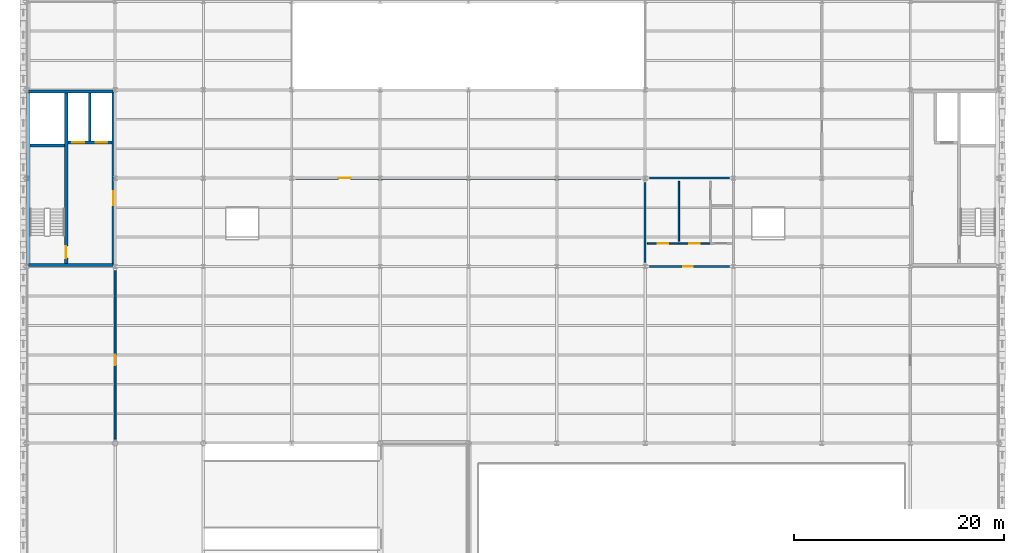
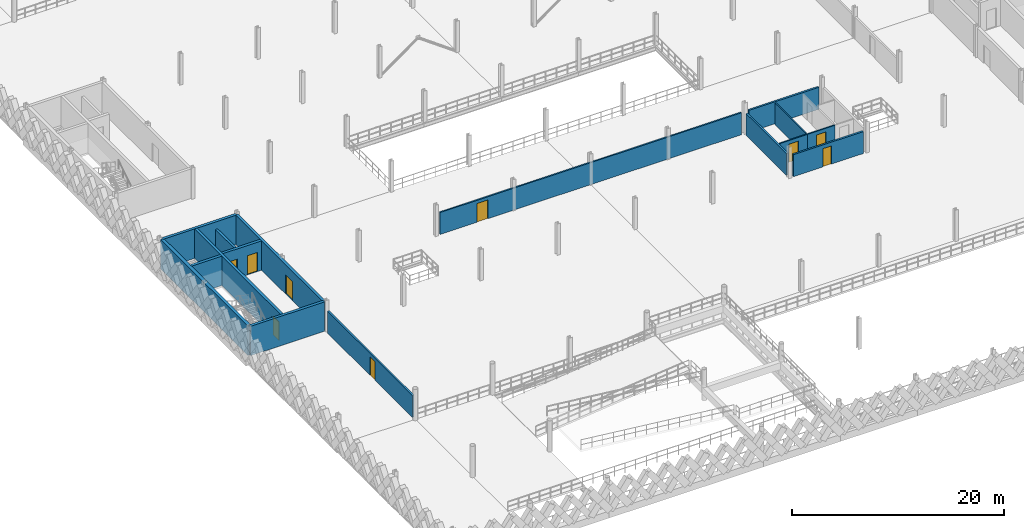
# One storey, part 49 of 62: 16 walls, 9 doors, 9 openings.
"""IFC4 building model written with IfcOpenShell, lengths in metres."""

from ifc_helpers import new_model, si_unit, direction, frame, frame_2d, origin, place, context, subcontext, project, spatial, rectangle, extrude, material, layer, layer_set, type_object, element, fill, save


model = new_model("IFC4")

# Units and contexts
model_context = context("Model", 3, precision=1e-05, world=origin(), true_north=direction((0.0, 1.0)))
body_context = subcontext(model_context, "Body", "Model", "MODEL_VIEW")
ifc_project = project(units=[si_unit("LENGTHUNIT", "METRE"), si_unit("AREAUNIT", "SQUARE_METRE"), si_unit("VOLUMEUNIT", "CUBIC_METRE"), si_unit("PLANEANGLEUNIT", "RADIAN"), si_unit("MASSUNIT", "GRAM", prefix="KILO"), si_unit("THERMODYNAMICTEMPERATUREUNIT", "KELVIN"), si_unit("POWERUNIT", "WATT")], contexts=[model_context])

# Site, building, storey
site_placement = place(None, origin())
site = spatial("IfcSite", under=ifc_project, at=site_placement, CompositionType="ELEMENT")
building_placement = place(site_placement, origin())
building = spatial("IfcBuilding", under=site, at=building_placement, Name="Tembeka Court Mobility Hub", CompositionType="ELEMENT")
storey_placement = place(building_placement, frame((0.0, 0.0, 16.199951171875)))
storey = spatial("IfcBuildingStorey", under=building, at=storey_placement, Name="L04", CompositionType="ELEMENT", Elevation=16.199951171875)

# Wall
ifc_material_1 = material(Name="Concrete C40/50", Category="concrete")
ifc_layer_1 = layer(ifc_material_1, 0.25)
ifc_layer_set_1 = layer_set([ifc_layer_1], Name="Concrete C40/50")
wall_type_1 = type_object("IfcWallType", Name="WL-IW01", PredefinedType="PARTITIONING", material=ifc_layer_set_1)
wall_1_placement = place(storey_placement, frame((6.0, 50.35009765625, 0.0), z_axis=(0.0, 0.0, 1.0), x_axis=(0.0, 1.0, 0.0)))
element("IfcWall", 1, at=wall_1_placement, inside=storey, type_object=wall_type_1, Name="Wall IW01 (IW-L04-0048)", PredefinedType="PARTITIONING", context=body_context, shape_type="SweptSolid", body=[
    extrude(rectangle(XDim=4.5498046875, YDim=0.25, at=frame_2d((2.27490234375, 0.0))), origin(), (0.0, 0.0, 1.0), 2.525146484375),
])

# Wall, opening, door
ifc_material_2 = material(Name="Concrete blockwork masonry", Category="masonry")
ifc_layer_2 = layer(ifc_material_2, 0.199951171875)
ifc_layer_set_2 = layer_set([ifc_layer_2], Name="Concrete blockwork masonry")
wall_type_2 = type_object("IfcWallType", Name="WL-IW02", PredefinedType="PARTITIONING", material=ifc_layer_set_2)
wall_2_placement = place(storey_placement, frame((59.199951171875, 38.39990234375, 0.0), z_axis=(0.0, 0.0, 1.0), x_axis=(1.0, 0.0, 0.0)))
wall_2 = element("IfcWall", 2, at=wall_2_placement, inside=storey, type_object=wall_type_2, Name="Wall IW02 (IW-L04-0386)", PredefinedType="PARTITIONING", context=body_context, shape_type="SweptSolid", body=[
    extrude(rectangle(XDim=7.60009765625, YDim=0.199951171875, at=frame_2d((3.800048828125, 0.0))), origin(), (0.0, 0.0, 1.0), 2.525146484375),
])
opening_1_placement = place(wall_2_placement, frame((3.199951171875, 0.0, 0.0)))
opening_1 = element("IfcOpeningElement", 3, at=opening_1_placement, cuts=wall_2, Name="Opening ID03", PredefinedType="OPENING", context=body_context, shape_type="SweptSolid", body=[
    extrude(rectangle(XDim=0.919921875, YDim=2.10009765625, at=frame_2d((0.4599609375, 1.050048828125))), frame((0.0, 0.10986328125, 0.0), z_axis=(0.0, -1.0, 0.0), x_axis=(1.0, 0.0, 0.0)), (0.0, 0.0, 1.0), 0.219970703125),
])
ifc_material_3 = material(Name="Galvanised steel fire/shutter doorset", Category="steel")
door_type_1 = type_object("IfcDoorType", Name="DR-ID03", OperationType="NOTDEFINED", PredefinedType="DOOR", material=ifc_material_3)
door_1_placement = place(opening_1_placement, origin())
door_1 = element("IfcDoor", 4, at=door_1_placement, inside=storey, type_object=door_type_1, Name="L04 washroom lobby entrance", OperationType="SINGLE_SWING_RIGHT", OverallHeight=2.10009765625, OverallWidth=0.919921875, PredefinedType="DOOR", context=body_context, shape_type="SweptSolid", body=[
    extrude(rectangle(XDim=0.919921875, YDim=2.10009765625, at=frame_2d((0.4599609375, 1.050048828125))), frame((0.0, 0.02490234375, 0.0), z_axis=(0.0, -1.0, 0.0), x_axis=(1.0, 0.0, 0.0)), (0.0, 0.0, 1.0), 0.050048828125),
])
fill(opening_1, door_1)

# Walls
wall_3_placement = place(storey_placement, frame((59.199951171875, 46.800048828125, 0.0), z_axis=(0.0, 0.0, 1.0), x_axis=(1.0, 0.0, 0.0)))
element("IfcWall", 5, at=wall_3_placement, inside=storey, type_object=wall_type_2, Name="Wall IW02 (IW-L04-0387)", PredefinedType="PARTITIONING", context=body_context, shape_type="SweptSolid", body=[
    extrude(rectangle(XDim=7.60009765625, YDim=0.199951171875, at=frame_2d((3.800048828125, 0.0))), origin(), (0.0, 0.0, 1.0), 2.525146484375),
])
wall_4_placement = place(storey_placement, frame((58.800048828125, 38.800048828125, 0.0), z_axis=(0.0, 0.0, 1.0), x_axis=(0.0, 1.0, 0.0)))
element("IfcWall", 6, at=wall_4_placement, inside=storey, type_object=wall_type_2, Name="Wall IW02 (IW-L04-0388)", PredefinedType="PARTITIONING", context=body_context, shape_type="SweptSolid", body=[
    extrude(rectangle(XDim=7.599853515625, YDim=0.199951171875, at=frame_2d((3.7998046875, 0.0))), origin(), (0.0, 0.0, 1.0), 2.525146484375),
])

# Wall, opening, door
ifc_layer_3 = layer(ifc_material_2, 0.179931640625)
ifc_layer_set_3 = layer_set([ifc_layer_3], Name="Concrete blockwork masonry")
wall_type_3 = type_object("IfcWallType", Name="WL-IW03", PredefinedType="PARTITIONING", material=ifc_layer_set_3)
wall_5_placement = place(storey_placement, frame((8.39990234375, 22.0, 0.0), z_axis=(0.0, 0.0, 1.0), x_axis=(0.0, 1.0, 0.0)))
wall_5 = element("IfcWall", 7, at=wall_5_placement, inside=storey, type_object=wall_type_3, Name="Wall IW03 (IW-L04-0444)", PredefinedType="PARTITIONING", context=body_context, shape_type="SweptSolid", body=[
    extrude(rectangle(XDim=16.0, YDim=0.179931640625, at=frame_2d((8.0, 0.0))), origin(), (0.0, 0.0, 1.0), 2.525146484375),
])
opening_2_placement = place(wall_5_placement, frame((7.0, 0.0, 0.0)))
opening_2 = element("IfcOpeningElement", 8, at=opening_2_placement, cuts=wall_5, Name="Opening FD05", PredefinedType="OPENING", context=body_context, shape_type="SweptSolid", body=[
    extrude(rectangle(XDim=1.0, YDim=2.14990234375, at=frame_2d((0.5, 1.074951171875))), frame((0.0, 0.10009765625, 0.0), z_axis=(0.0, -1.0, 0.0), x_axis=(1.0, 0.0, 0.0)), (0.0, 0.0, 1.0), 0.199951171875),
])
door_type_2 = type_object("IfcDoorType", Name="DR-FD05", OperationType="NOTDEFINED", PredefinedType="DOOR", material=ifc_material_3)
door_2_placement = place(opening_2_placement, origin())
door_2 = element("IfcDoor", 9, at=door_2_placement, inside=storey, type_object=door_type_2, Name="Door FD05-0217", OperationType="SINGLE_SWING_RIGHT", OverallHeight=2.14990234375, OverallWidth=1.0, PredefinedType="DOOR", context=body_context, shape_type="SweptSolid", body=[
    extrude(rectangle(XDim=1.0, YDim=2.14990234375, at=frame_2d((0.5, 1.074951171875))), frame((0.0, 0.02490234375, 0.0), z_axis=(0.0, -1.0, 0.0), x_axis=(1.0, 0.0, 0.0)), (0.0, 0.0, 1.0), 0.050048828125),
])
fill(opening_2, door_2)

ifc_material_4 = material(Name="Acoustic metal-stud gypsum partition", Category="masonry")
ifc_layer_4 = layer(ifc_material_4, 0.159912109375)
ifc_layer_set_4 = layer_set([ifc_layer_4], Name="Acoustic metal-stud gypsum partition")
wall_type_4 = type_object("IfcWallType", Name="WL-IW04", PredefinedType="PARTITIONING", material=ifc_layer_set_4)
wall_6_placement = place(storey_placement, frame((25.60009765625, 46.800048828125, 0.0), z_axis=(0.0, 0.0, 1.0), x_axis=(1.0, 0.0, 0.0)))
wall_6 = element("IfcWall", 10, at=wall_6_placement, inside=storey, type_object=wall_type_4, Name="Wall IW04 (IW-L04-0446)", PredefinedType="PARTITIONING", context=body_context, shape_type="SweptSolid", body=[
    extrude(rectangle(XDim=32.7998046875, YDim=0.159912109375, at=frame_2d((16.39990234375, 0.0))), origin(), (0.0, 0.0, 1.0), 2.525146484375),
])
opening_3_placement = place(wall_6_placement, frame((4.0, 0.0, 0.0)))
opening_3 = element("IfcOpeningElement", 11, at=opening_3_placement, cuts=wall_6, Name="Opening ID04", PredefinedType="OPENING", context=body_context, shape_type="SweptSolid", body=[
    extrude(rectangle(XDim=1.199951171875, YDim=2.14990234375, at=frame_2d((0.60009765625, 1.074951171875))), frame((0.0, 0.08984375, 0.0), z_axis=(0.0, -1.0, 0.0), x_axis=(1.0, 0.0, 0.0)), (0.0, 0.0, 1.0), 0.179931640625),
])
ifc_material_5 = material(Name="Powder-coated aluminium glazed doorset", Category="aluminium")
door_type_3 = type_object("IfcDoorType", Name="DR-ID04", OperationType="NOTDEFINED", PredefinedType="DOOR", material=ifc_material_5)
door_3_placement = place(opening_3_placement, origin())
door_3 = element("IfcDoor", 12, at=door_3_placement, inside=storey, type_object=door_type_3, Name="Door ID04-0219", OperationType="SINGLE_SWING_RIGHT", OverallHeight=2.14990234375, OverallWidth=1.199951171875, PredefinedType="DOOR", context=body_context, shape_type="SweptSolid", body=[
    extrude(rectangle(XDim=1.199951171875, YDim=2.14990234375, at=frame_2d((0.60009765625, 1.074951171875))), frame((0.0, 0.02490234375, 0.0), z_axis=(0.0, -1.0, 0.0), x_axis=(1.0, 0.0, 0.0)), (0.0, 0.0, 1.0), 0.050048828125),
])
fill(opening_3, door_3)

ifc_material_6 = material(Name="Moisture-resistant gypsum partition", Category="masonry")
ifc_layer_5 = layer(ifc_material_6, 0.139892578125)
ifc_layer_set_5 = layer_set([ifc_layer_5], Name="Moisture-resistant gypsum partition")
wall_type_5 = type_object("IfcWallType", Name="WL-IW05", PredefinedType="PARTITIONING", material=ifc_layer_set_5)
wall_7_placement = place(storey_placement, frame((59.0, 40.60009765625, 0.0), z_axis=(0.0, 0.0, 1.0), x_axis=(1.0, 0.0, 0.0)))
wall_7 = element("IfcWall", 13, at=wall_7_placement, inside=storey, type_object=wall_type_5, Name="Wall IW05 (IW-L04-0390)", PredefinedType="PARTITIONING", context=body_context, shape_type="SweptSolid", body=[
    extrude(rectangle(XDim=3.0, YDim=0.139892578125, at=frame_2d((1.5, 0.0))), origin(), (0.0, 0.0, 1.0), 2.525146484375),
])
opening_4_placement = place(wall_7_placement, frame((1.0, 0.0, 0.0)))
opening_4 = element("IfcOpeningElement", 14, at=opening_4_placement, cuts=wall_7, Name="Opening ID02", PredefinedType="OPENING", context=body_context, shape_type="SweptSolid", body=[
    extrude(rectangle(XDim=1.0, YDim=2.10009765625, at=frame_2d((0.5, 1.050048828125))), frame((0.0, 0.080078125, 0.0), z_axis=(0.0, -1.0, 0.0), x_axis=(1.0, 0.0, 0.0)), (0.0, 0.0, 1.0), 0.159912109375),
])
door_type_4 = type_object("IfcDoorType", Name="DR-ID02", OperationType="NOTDEFINED", PredefinedType="DOOR", material=ifc_material_5)
door_4_placement = place(opening_4_placement, origin())
door_4 = element("IfcDoor", 15, at=door_4_placement, inside=storey, type_object=door_type_4, Name="L04 male WC door", OperationType="SINGLE_SWING_LEFT", OverallHeight=2.10009765625, OverallWidth=1.0, PredefinedType="DOOR", context=body_context, shape_type="SweptSolid", body=[
    extrude(rectangle(XDim=1.0, YDim=2.10009765625, at=frame_2d((0.5, 1.050048828125))), frame((0.0, 0.02490234375, 0.0), z_axis=(0.0, -1.0, 0.0), x_axis=(1.0, 0.0, 0.0)), (0.0, 0.0, 1.0), 0.050048828125),
])
fill(opening_4, door_4)

wall_8_placement = place(storey_placement, frame((62.0, 40.60009765625, 0.0), z_axis=(0.0, 0.0, 1.0), x_axis=(1.0, 0.0, 0.0)))
wall_8 = element("IfcWall", 16, at=wall_8_placement, inside=storey, type_object=wall_type_5, Name="Wall IW05 (IW-L04-0391)", PredefinedType="PARTITIONING", context=body_context, shape_type="SweptSolid", body=[
    extrude(rectangle(XDim=3.0, YDim=0.139892578125, at=frame_2d((1.5, 0.0))), origin(), (0.0, 0.0, 1.0), 2.525146484375),
])
opening_5_placement = place(wall_8_placement, frame((1.0, 0.0, 0.0)))
opening_5 = element("IfcOpeningElement", 17, at=opening_5_placement, cuts=wall_8, Name="Opening ID02", PredefinedType="OPENING", context=body_context, shape_type="SweptSolid", body=[
    extrude(rectangle(XDim=1.0, YDim=2.10009765625, at=frame_2d((0.5, 1.050048828125))), frame((0.0, 0.080078125, 0.0), z_axis=(0.0, -1.0, 0.0), x_axis=(1.0, 0.0, 0.0)), (0.0, 0.0, 1.0), 0.159912109375),
])
door_5_placement = place(opening_5_placement, origin())
door_5 = element("IfcDoor", 18, at=door_5_placement, inside=storey, type_object=door_type_4, Name="L04 female WC door", OperationType="SINGLE_SWING_RIGHT", OverallHeight=2.10009765625, OverallWidth=1.0, PredefinedType="DOOR", context=body_context, shape_type="SweptSolid", body=[
    extrude(rectangle(XDim=1.0, YDim=2.10009765625, at=frame_2d((0.5, 1.050048828125))), frame((0.0, 0.02490234375, 0.0), z_axis=(0.0, -1.0, 0.0), x_axis=(1.0, 0.0, 0.0)), (0.0, 0.0, 1.0), 0.050048828125),
])
fill(opening_5, door_5)

# Walls
wall_9_placement = place(storey_placement, frame((62.0, 40.800048828125, 0.0), z_axis=(0.0, 0.0, 1.0), x_axis=(0.0, 1.0, 0.0)))
element("IfcWall", 19, at=wall_9_placement, inside=storey, type_object=wall_type_5, Name="Wall IW05 (IW-L04-0393)", PredefinedType="PARTITIONING", context=body_context, shape_type="SweptSolid", body=[
    extrude(rectangle(XDim=5.699951171875, YDim=0.139892578125, at=frame_2d((2.85009765625, 0.0))), origin(), (0.0, 0.0, 1.0), 2.525146484375),
])
ifc_layer_6 = layer(ifc_material_1, 0.300048828125)
ifc_layer_set_6 = layer_set([ifc_layer_6], Name="Concrete C40/50")
wall_type_6 = type_object("IfcWallType", Name="WL-SW01", PredefinedType="SHEAR", material=ifc_layer_set_6)
for number, where, z_axis, x_axis, name in (
    (20, (0.1845703125, 38.550048828125, 0.0), (0.0, 0.0, 1.0), (1.0, 0.0, 0.0), "Wall SW01 (IW-L04-0041)"),
    (21, (0.1845703125, 55.050048828125, 0.0), (0.0, 0.0, 1.0), (1.0, 0.0, 0.0), "Wall SW01 (IW-L04-0042)"),
):
    element("IfcWall", number, at=place(storey_placement, frame(where, z_axis=z_axis, x_axis=x_axis)), inside=storey, type_object=wall_type_6, Name=name, PredefinedType="SHEAR", context=body_context, shape_type="SweptSolid", body=[
        extrude(rectangle(XDim=8.031005859375, YDim=0.300048828125, at=frame_2d((4.015625, 0.0))), origin(), (0.0, 0.0, 1.0), 3.380126953125),
    ])
wall_10_placement = place(storey_placement, frame((0.300048828125, 49.89990234375, 0.0), z_axis=(0.0, 0.0, 1.0), x_axis=(1.0, 0.0, 0.0)))
element("IfcWall", 22, at=wall_10_placement, inside=storey, type_object=wall_type_6, Name="Wall SW01 (IW-L04-0043)", PredefinedType="SHEAR", context=body_context, shape_type="SweptSolid", body=[
    extrude(rectangle(XDim=3.300048828125, YDim=0.300048828125, at=frame_2d((1.64990234375, 0.0))), origin(), (0.0, 0.0, 1.0), 3.380126953125),
])

# Wall, opening, door
wall_11_placement = place(storey_placement, frame((8.25, 38.58203125, 0.0), z_axis=(0.0, 0.0, 1.0), x_axis=(0.0, 1.0, 0.0)))
wall_11 = element("IfcWall", 23, at=wall_11_placement, inside=storey, type_object=wall_type_6, Name="Wall SW01 (IW-L04-0045)", PredefinedType="SHEAR", context=body_context, shape_type="SweptSolid", body=[
    extrude(rectangle(XDim=16.43603515625, YDim=0.300048828125, at=frame_2d((8.218017578125, 0.0))), origin(), (0.0, 0.0, 1.0), 3.380126953125),
])
opening_6_placement = place(wall_11_placement, frame((5.66796875, 0.0, 0.0)))
opening_6 = element("IfcOpeningElement", 24, at=opening_6_placement, cuts=wall_11, Name="Opening FD02", PredefinedType="OPENING", context=body_context, shape_type="SweptSolid", body=[
    extrude(rectangle(XDim=1.300048828125, YDim=2.199951171875, at=frame_2d((0.64990234375, 1.10009765625))), frame((0.0, 0.16015625, 0.0), z_axis=(0.0, -1.0, 0.0), x_axis=(1.0, 0.0, 0.0)), (0.0, 0.0, 1.0), 0.320068359375),
])
door_type_5 = type_object("IfcDoorType", Name="DR-FD02", OperationType="NOTDEFINED", PredefinedType="DOOR", material=ifc_material_3)
door_6_placement = place(opening_6_placement, origin())
door_6 = element("IfcDoor", 25, at=door_6_placement, inside=storey, type_object=door_type_5, Name="Door FD02-0022", OperationType="SINGLE_SWING_LEFT", OverallHeight=2.199951171875, OverallWidth=1.300048828125, PredefinedType="DOOR", context=body_context, shape_type="SweptSolid", body=[
    extrude(rectangle(XDim=1.300048828125, YDim=2.199951171875, at=frame_2d((0.64990234375, 1.10009765625))), frame((0.0, 0.02490234375, 0.0), z_axis=(0.0, -1.0, 0.0), x_axis=(1.0, 0.0, 0.0)), (0.0, 0.0, 1.0), 0.050048828125),
])
fill(opening_6, door_6)

wall_12_placement = place(storey_placement, frame((3.75, 38.699951171875, 0.0), z_axis=(0.0, 0.0, 1.0), x_axis=(0.0, 1.0, 0.0)))
wall_12 = element("IfcWall", 26, at=wall_12_placement, inside=storey, type_object=wall_type_6, Name="Wall SW01 (IW-L04-0046)", PredefinedType="SHEAR", context=body_context, shape_type="SweptSolid", body=[
    extrude(rectangle(XDim=16.199951171875, YDim=0.300048828125, at=frame_2d((8.10009765625, 0.0))), origin(), (0.0, 0.0, 1.0), 3.380126953125),
])
opening_7_placement = place(wall_12_placement, frame((0.5, 0.0, 0.0)))
opening_7 = element("IfcOpeningElement", 27, at=opening_7_placement, cuts=wall_12, Name="Opening FD03", PredefinedType="OPENING", context=body_context, shape_type="SweptSolid", body=[
    extrude(rectangle(XDim=1.14990234375, YDim=2.14990234375, at=frame_2d((0.574951171875, 1.074951171875))), frame((0.0, 0.16015625, 0.0), z_axis=(0.0, -1.0, 0.0), x_axis=(1.0, 0.0, 0.0)), (0.0, 0.0, 1.0), 0.320068359375),
])
door_type_6 = type_object("IfcDoorType", Name="DR-FD03", OperationType="NOTDEFINED", PredefinedType="DOOR", material=ifc_material_3)
door_7_placement = place(opening_7_placement, frame((1.14990234375, 0.0, 0.0), z_axis=(0.0, 0.0, 1.0), x_axis=(-1.0, 0.0, 0.0)))
door_7 = element("IfcDoor", 28, at=door_7_placement, inside=storey, type_object=door_type_6, Name="Door FD03-0023", OperationType="SINGLE_SWING_LEFT", OverallHeight=2.14990234375, OverallWidth=1.14990234375, PredefinedType="DOOR", context=body_context, shape_type="SweptSolid", body=[
    extrude(rectangle(XDim=1.14990234375, YDim=2.14990234375, at=frame_2d((0.574951171875, 1.074951171875))), frame((0.0, 0.02490234375, 0.0), z_axis=(0.0, -1.0, 0.0), x_axis=(1.0, 0.0, 0.0)), (0.0, 0.0, 1.0), 0.050048828125),
])
fill(opening_7, door_7)

# Wall, openings, doors
wall_13_placement = place(storey_placement, frame((3.89990234375, 50.199951171875, 0.0), z_axis=(0.0, 0.0, 1.0), x_axis=(1.0, 0.0, 0.0)))
wall_13 = element("IfcWall", 29, at=wall_13_placement, inside=storey, type_object=wall_type_6, Name="Wall SW01 (IW-L04-0047)", PredefinedType="SHEAR", context=body_context, shape_type="SweptSolid", body=[
    extrude(rectangle(XDim=4.2001953125, YDim=0.300048828125, at=frame_2d((2.10009765625, 0.0))), origin(), (0.0, 0.0, 1.0), 3.380126953125),
])
opening_8_placement = place(wall_13_placement, frame((0.449951171875, 0.0, 0.0)))
opening_8 = element("IfcOpeningElement", 30, at=opening_8_placement, cuts=wall_13, Name="Opening LD01", PredefinedType="OPENING", context=body_context, shape_type="SweptSolid", body=[
    extrude(rectangle(XDim=1.10009765625, YDim=2.199951171875, at=frame_2d((0.550048828125, 1.10009765625))), frame((0.0, 0.16015625, 0.0), z_axis=(0.0, -1.0, 0.0), x_axis=(1.0, 0.0, 0.0)), (0.0, 0.0, 1.0), 0.320068359375),
])
opening_9_placement = place(wall_13_placement, frame((2.64990234375, 0.0, 0.0)))
opening_9 = element("IfcOpeningElement", 31, at=opening_9_placement, cuts=wall_13, Name="Opening LD01", PredefinedType="OPENING", context=body_context, shape_type="SweptSolid", body=[
    extrude(rectangle(XDim=1.10009765625, YDim=2.199951171875, at=frame_2d((0.550048828125, 1.10009765625))), frame((0.0, 0.16015625, 0.0), z_axis=(0.0, -1.0, 0.0), x_axis=(1.0, 0.0, 0.0)), (0.0, 0.0, 1.0), 0.320068359375),
])
door_type_7 = type_object("IfcDoorType", Name="DR-LD01", OperationType="SLIDING_TO_LEFT", PredefinedType="DOOR", material=ifc_material_3)
door_8_placement = place(opening_8_placement, origin())
door_8 = element("IfcDoor", 32, at=door_8_placement, inside=storey, type_object=door_type_7, Name="Lift LF01 landing door L04", OperationType="SLIDING_TO_LEFT", OverallHeight=2.199951171875, OverallWidth=1.10009765625, PredefinedType="DOOR", context=body_context, shape_type="SweptSolid", body=[
    extrude(rectangle(XDim=1.10009765625, YDim=2.199951171875, at=frame_2d((0.550048828125, 1.10009765625))), frame((0.0, 0.02490234375, 0.0), z_axis=(0.0, -1.0, 0.0), x_axis=(1.0, 0.0, 0.0)), (0.0, 0.0, 1.0), 0.050048828125),
])
fill(opening_8, door_8)
door_9_placement = place(opening_9_placement, origin())
door_9 = element("IfcDoor", 33, at=door_9_placement, inside=storey, type_object=door_type_7, Name="Lift LF03 landing door L04", OperationType="SLIDING_TO_LEFT", OverallHeight=2.199951171875, OverallWidth=1.10009765625, PredefinedType="DOOR", context=body_context, shape_type="SweptSolid", body=[
    extrude(rectangle(XDim=1.10009765625, YDim=2.199951171875, at=frame_2d((0.550048828125, 1.10009765625))), frame((0.0, 0.02490234375, 0.0), z_axis=(0.0, -1.0, 0.0), x_axis=(1.0, 0.0, 0.0)), (0.0, 0.0, 1.0), 0.050048828125),
])
fill(opening_9, door_9)

# Wall
ifc_layer_7 = layer(ifc_material_1, 0.35009765625)
ifc_layer_set_7 = layer_set([ifc_layer_7], Name="Concrete C40/50")
wall_type_7 = type_object("IfcWallType", Name="WL-SW02", PredefinedType="SHEAR", material=ifc_layer_set_7)
wall_14_placement = place(storey_placement, frame((0.14990234375, 38.58203125, 0.0), z_axis=(0.0, 0.0, 1.0), x_axis=(0.0, 1.0, 0.0)))
element("IfcWall", 34, at=wall_14_placement, inside=storey, type_object=wall_type_7, Name="Wall SW02 (IW-L04-0044)", PredefinedType="SHEAR", context=body_context, shape_type="SweptSolid", body=[
    extrude(rectangle(XDim=16.43603515625, YDim=0.35009765625, at=frame_2d((8.218017578125, 0.0))), origin(), (0.0, 0.0, 1.0), 3.380126953125),
])

save(model, "model.ifc")
